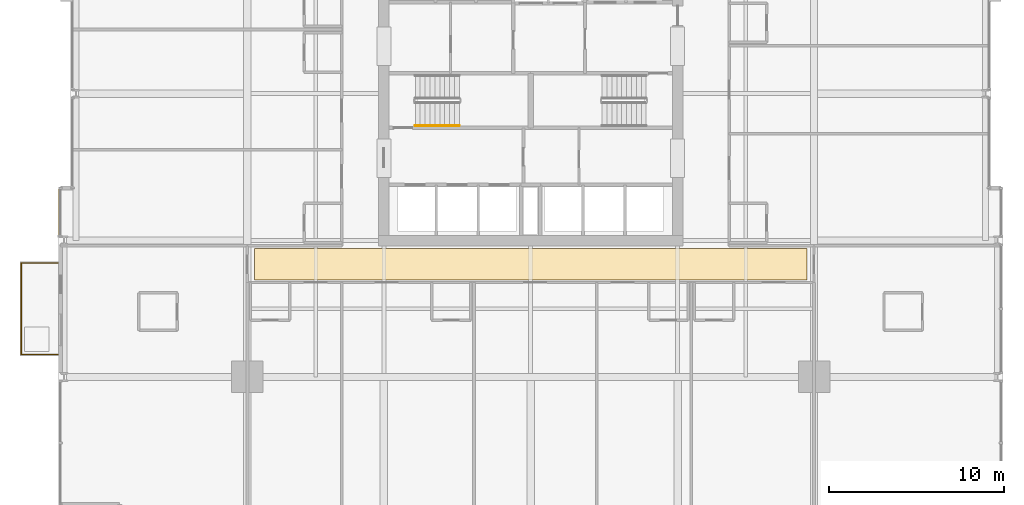
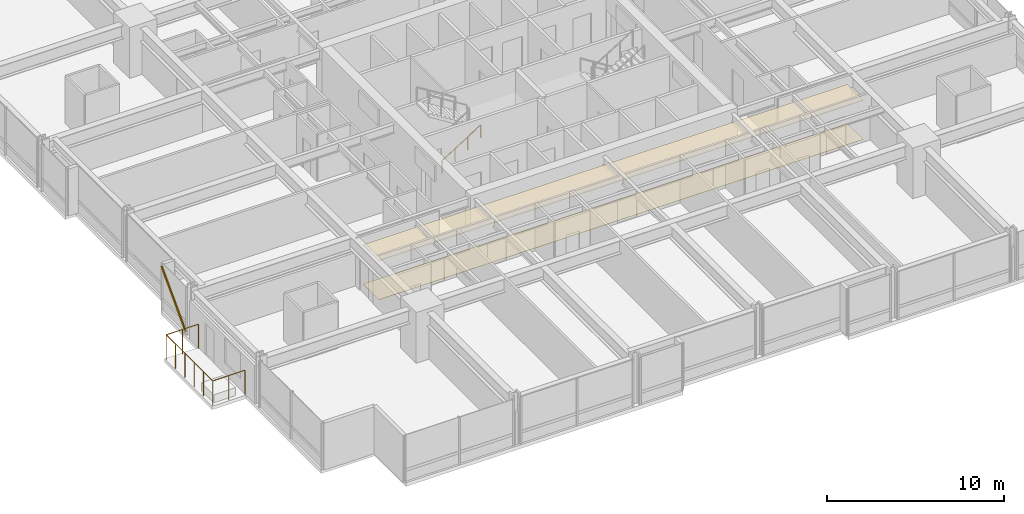
# One storey, part 36 of 39: 2 coverings, 2 railings, 1 shading device.
"""IFC4 building model written with IfcOpenShell, lengths in metres."""

from ifc_helpers import new_model, si_unit, direction, frame, origin, origin_2d, place, context, subcontext, project, spatial, polyline, hollow_rectangle, circle, outline, extrude, material, layer, layer_set, material_profile, profile_set, type_object, element, save


model = new_model("IFC4")

# Units and contexts
model_context = context("Model", 3, precision=1e-05, world=origin(), true_north=direction((0.0, 1.0)))
body_context = subcontext(model_context, "Body", "Model", "MODEL_VIEW")
ifc_project = project(units=[si_unit("LENGTHUNIT", "METRE"), si_unit("AREAUNIT", "SQUARE_METRE"), si_unit("VOLUMEUNIT", "CUBIC_METRE"), si_unit("PLANEANGLEUNIT", "RADIAN"), si_unit("MASSUNIT", "GRAM", prefix="KILO")], contexts=[model_context])

# Site, building, storey
site_placement = place(None, origin())
site = spatial("IfcSite", under=ifc_project, at=site_placement, CompositionType="ELEMENT")
building_placement = place(site_placement, origin())
building = spatial("IfcBuilding", under=site, at=building_placement, Name="Drelvath Grand Hotel", CompositionType="ELEMENT")
storey_placement = place(building_placement, frame((0.0, 0.0, 54.199951171875)))
storey = spatial("IfcBuildingStorey", under=building, at=storey_placement, Name="L12", CompositionType="ELEMENT", Elevation=54.199951171875)

# Railing
ifc_material_1 = material(Name="Painted Steel S275", Category="steel")
railing_type_1 = type_object("IfcRailingType", Name="Core Stair Wall Handrail 900", PredefinedType="HANDRAIL", material=ifc_material_1)
railing_1_placement = place(storey_placement, frame((-6.60009765625, 25.169921875, 0.175048828125)))
element("IfcRailing", 1, at=railing_1_placement, inside=storey, type_object=railing_type_1, Name="L12 ST-1 stair handrail 1", PredefinedType="HANDRAIL", context=body_context, shape_type="SweptSolid", body=[
    extrude(circle(Radius=0.02392578125, at=origin_2d()), frame((0.0, 0.0, 0.8759765625), z_axis=(0.848007534815, 0.0, 0.529984170421), x_axis=(0.0, 1.0, 0.0)), (0.0, 0.0, 1.0), 2.9716796875),
    extrude(circle(Radius=0.02099609375, at=origin_2d()), origin(), (0.0, 0.0, 1.0), 0.851806640625),
    extrude(circle(Radius=0.02099609375, at=origin_2d()), frame((0.840087890625, 0.0, 0.52490234375)), (0.0, 0.0, 1.0), 0.851806640625),
    extrude(circle(Radius=0.02099609375, at=origin_2d()), frame((1.679931640625, 0.0, 1.050048828125)), (0.0, 0.0, 1.0), 0.851806640625),
    extrude(circle(Radius=0.02099609375, at=origin_2d()), frame((2.52001953125, 0.0, 1.574951171875)), (0.0, 0.0, 1.0), 0.851806640625),
])

# Shading device
ifc_material_2 = material(Name="Warm Bronze Anodised Aluminium", Category="aluminium")
ifc_material_profile = material_profile(ifc_material_2, hollow_rectangle(XDim=0.06494140625, YDim=0.159912109375, WallThickness=0.00390625, at=origin_2d()), Name="HSS160X65X4")
ifc_profile_set = profile_set([ifc_material_profile], Name="Warm Bronze Anodised Aluminium")
shading_device_type = type_object("IfcShadingDeviceType", Name="Diagonal Solar Fin Warm Bronze Anodised HSS160X65X4", PredefinedType="USERDEFINED", material=ifc_profile_set)
shading_device_placement = place(storey_placement, frame((-26.9599609375, 18.8408203125, 0.179931640625), z_axis=(0.0, 0.691795011039, 0.722093943128), x_axis=(-1.0, 0.0, 0.0)))
element("IfcShadingDevice", 2, at=shading_device_placement, inside=storey, type_object=shading_device_type, Name="L12 Diagonal Anodised Fin CW02-L12-WS3", ObjectType="FIN", PredefinedType="USERDEFINED", context=body_context, shape_type="SweptSolid", body=[
    extrude(hollow_rectangle(XDim=0.06494140625, YDim=0.159912109375, WallThickness=0.00390625, at=origin_2d()), origin(), (0.0, 0.0, 1.0), 3.988525390625),
])

# Coverings
ifc_material_3 = material(Name="Woven Wool Broadloom Carpet")
ifc_layer_1 = layer(ifc_material_3, 0.01806640625)
ifc_layer_set_1 = layer_set([ifc_layer_1], Name="Woven Wool Broadloom Carpet")
covering_type_1 = type_object("IfcCoveringType", Name="Hospitality Broadloom Carpet 18", PredefinedType="FLOORING", material=ifc_layer_set_1)
covering_1_placement = place(storey_placement, origin())
element("IfcCovering", 3, at=covering_1_placement, inside=storey, type_object=covering_type_1, Name="L12 Corridor Broadloom Carpet", PredefinedType="FLOORING", context=body_context, shape_type="SweptSolid", body=[
    extrude(outline(polyline([(15.800048828125, 16.35009765625), (15.800048828125, 18.14990234375), (-15.800048828125, 18.14990234375), (-15.800048828125, 16.35009765625), (15.800048828125, 16.35009765625)])), origin(), (0.0, 0.0, 1.0), 0.01806640625),
])
ifc_material_4 = material(Name="Anodised Aluminium Alloy", Category="aluminium")
ifc_layer_2 = layer(ifc_material_4, 0.0400390625)
ifc_layer_set_2 = layer_set([ifc_layer_2], Name="Anodised Aluminium Alloy")
covering_type_2 = type_object("IfcCoveringType", Name="Perforated Metal Corridor Ceiling 40", PredefinedType="CEILING", material=ifc_layer_set_2)
covering_2_placement = place(storey_placement, frame((0.0, 0.0, 2.68994140625)))
element("IfcCovering", 4, at=covering_2_placement, inside=storey, type_object=covering_type_2, Name="L12 Corridor Acoustic Ceiling", PredefinedType="CEILING", context=body_context, shape_type="SweptSolid", body=[
    extrude(outline(polyline([(15.800048828125, 16.35009765625), (15.800048828125, 18.14990234375), (-15.800048828125, 18.14990234375), (-15.800048828125, 16.35009765625), (15.800048828125, 16.35009765625)])), origin(), (0.0, 0.0, 1.0), 0.0400390625),
])

# Railing
ifc_material_5 = material(Name="Anodised Aluminium and Laminated Glass Balustrade", Category="aluminium")
railing_type_2 = type_object("IfcRailingType", Name="Raised Planter Edge Balustrade 1700", PredefinedType="BALUSTRADE", material=ifc_material_5)
railing_2_placement = place(storey_placement, frame((-27.02001953125, 12.080078125, 0.0)))
element("IfcRailing", 5, at=railing_2_placement, inside=storey, type_object=railing_type_2, Name="L12 Tree Balcony Perimeter Balustrade 1", PredefinedType="BALUSTRADE", context=body_context, shape_type="SweptSolid", body=[
    extrude(circle(Radius=0.02392578125, at=origin_2d()), frame((0.0, 0.0, 1.67578125), z_axis=(-1.0, 0.0, 0.0), x_axis=(0.0, -1.0, 0.0)), (0.0, 0.0, 1.0), 2.10009765625),
    extrude(circle(Radius=0.02392578125, at=origin_2d()), frame((-2.10009765625, 0.0, 1.67578125), z_axis=(0.0, 1.0, 0.0), x_axis=(-1.0, 0.0, 0.0)), (0.0, 0.0, 1.0), 5.239990234375),
    extrude(circle(Radius=0.02392578125, at=origin_2d()), frame((-2.10009765625, 5.239990234375, 1.67578125), z_axis=(1.0, 0.0, 0.0), x_axis=(0.0, 1.0, 0.0)), (0.0, 0.0, 1.0), 2.10009765625),
    extrude(circle(Radius=0.02099609375, at=origin_2d()), origin(), (0.0, 0.0, 1.0), 1.65185546875),
    extrude(circle(Radius=0.02099609375, at=origin_2d()), frame((-1.050048828125, 0.0, 0.0)), (0.0, 0.0, 1.0), 1.65185546875),
    extrude(circle(Radius=0.02099609375, at=origin_2d()), frame((-2.10009765625, 0.0, 0.0)), (0.0, 0.0, 1.0), 1.65185546875),
    extrude(circle(Radius=0.02099609375, at=origin_2d()), frame((-2.10009765625, 1.048095703125, 0.0)), (0.0, 0.0, 1.0), 1.65185546875),
    extrude(circle(Radius=0.02099609375, at=origin_2d()), frame((-2.10009765625, 2.095947265625, 0.0)), (0.0, 0.0, 1.0), 1.65185546875),
    extrude(circle(Radius=0.02099609375, at=origin_2d()), frame((-2.10009765625, 3.14404296875, 0.0)), (0.0, 0.0, 1.0), 1.65185546875),
    extrude(circle(Radius=0.02099609375, at=origin_2d()), frame((-2.10009765625, 4.19189453125, 0.0)), (0.0, 0.0, 1.0), 1.65185546875),
    extrude(circle(Radius=0.02099609375, at=origin_2d()), frame((-2.10009765625, 5.239990234375, 0.0)), (0.0, 0.0, 1.0), 1.65185546875),
    extrude(circle(Radius=0.02099609375, at=origin_2d()), frame((-1.050048828125, 5.239990234375, 0.0)), (0.0, 0.0, 1.0), 1.65185546875),
    extrude(circle(Radius=0.02099609375, at=origin_2d()), frame((0.0, 5.239990234375, 0.0)), (0.0, 0.0, 1.0), 1.65185546875),
])

save(model, "model.ifc")
